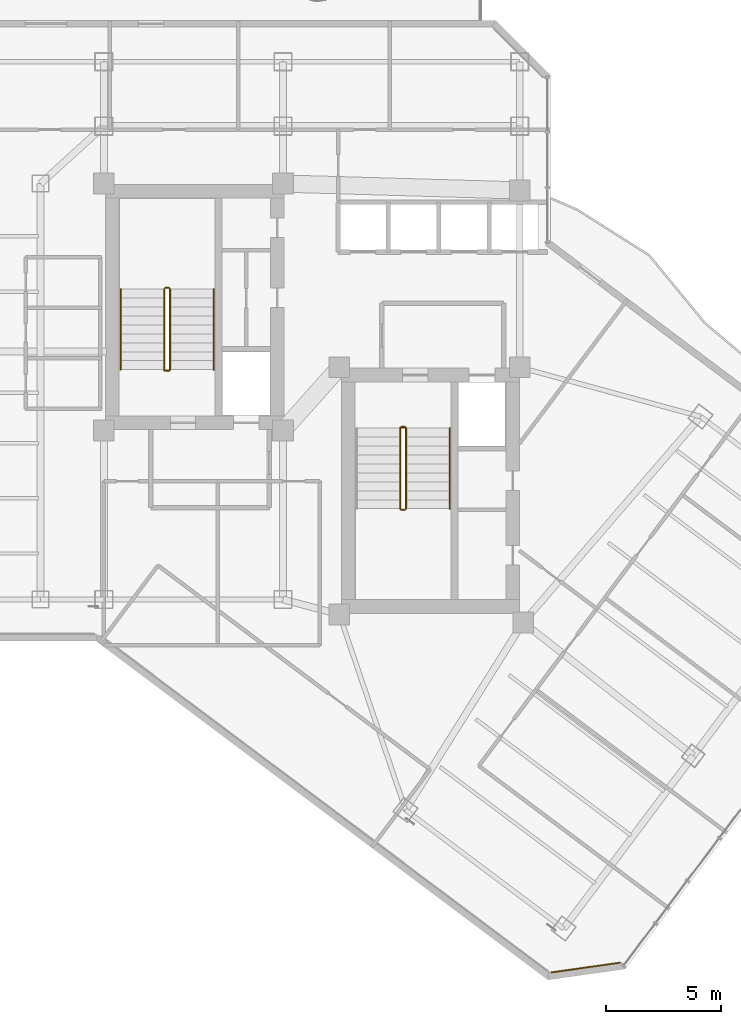
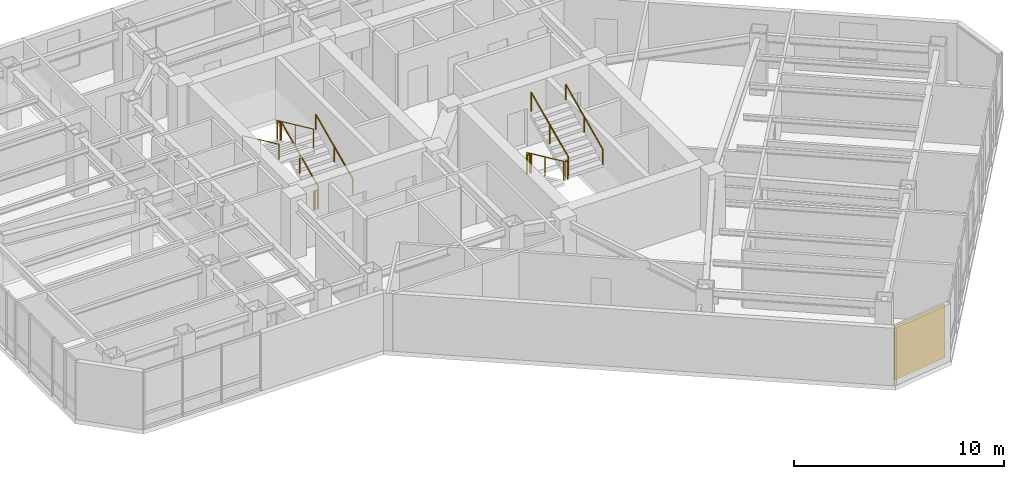
# One storey, part 26 of 27: 13 railings, 1 covering.
"""IFC4 building model written with IfcOpenShell, lengths in metres."""

from ifc_helpers import new_model, si_unit, direction, frame, origin, origin_2d, place, context, subcontext, project, spatial, rectangle, circle, extrude, material, layer, layer_set, type_object, element, save


model = new_model("IFC4")

# Units and contexts
model_context = context("Model", 3, precision=1e-05, world=origin(), true_north=direction((0.0, 1.0)))
body_context = subcontext(model_context, "Body", "Model", "MODEL_VIEW")
ifc_project = project(units=[si_unit("LENGTHUNIT", "METRE"), si_unit("AREAUNIT", "SQUARE_METRE"), si_unit("VOLUMEUNIT", "CUBIC_METRE"), si_unit("PLANEANGLEUNIT", "RADIAN"), si_unit("MASSUNIT", "GRAM", prefix="KILO")], contexts=[model_context])

# Site, building, storey
site_placement = place(None, origin())
site = spatial("IfcSite", under=ifc_project, at=site_placement, CompositionType="ELEMENT")
building_placement = place(site_placement, origin())
building = spatial("IfcBuilding", under=site, at=building_placement, Name="Hatsunagi Terrace Concourse", CompositionType="ELEMENT")
storey_placement = place(building_placement, frame((0.0, 0.0, 163.64990234375)))
storey = spatial("IfcBuildingStorey", under=building, at=storey_placement, Name="L43", CompositionType="ELEMENT", Elevation=163.64990234375)

# Railings
ifc_material_1 = material(Name="Stainless steel", Category="steel")
ifc_layer_1 = layer(ifc_material_1, 0.044921875)
ifc_layer_set_1 = layer_set([ifc_layer_1], Name="StairPitchHandrail_Tower2000")
railing_type_1 = type_object("IfcRailingType", Name="StairPitchHandrail_Tower2000", PredefinedType="HANDRAIL", material=ifc_layer_set_1)
railing_1_placement = place(storey_placement, frame((30.330078125, 35.199951171875, 0.18017578125)))
element("IfcRailing", 1, at=railing_1_placement, inside=storey, type_object=railing_type_1, Name="L43 ST-A stair handrail 1", PredefinedType="HANDRAIL", context=body_context, shape_type="SweptSolid", body=[
    extrude(circle(Radius=0.02392578125, at=origin_2d()), frame((0.0, 0.0, 0.8759765625), z_axis=(0.0, 0.907972323039, 0.419030142823), x_axis=(-1.0, 0.0, 0.0)), (0.0, 0.0, 1.0), 3.86572265625),
    extrude(circle(Radius=0.02099609375, at=origin_2d()), origin(), (0.0, 0.0, 1.0), 0.851806640625),
    extrude(circle(Radius=0.02099609375, at=origin_2d()), frame((0.0, 1.7548828125, 0.81005859375)), (0.0, 0.0, 1.0), 0.851806640625),
    extrude(circle(Radius=0.02099609375, at=origin_2d()), frame((0.0, 3.510009765625, 1.619873046875)), (0.0, 0.0, 1.0), 0.851806640625),
])
railing_2_placement = place(storey_placement, frame((26.280029296875, 38.7099609375, 1.97998046875)))
element("IfcRailing", 2, at=railing_2_placement, inside=storey, type_object=railing_type_1, Name="L43 ST-A stair handrail 2", PredefinedType="HANDRAIL", context=body_context, shape_type="SweptSolid", body=[
    extrude(circle(Radius=0.02392578125, at=origin_2d()), frame((0.0, 0.0, 0.8759765625), z_axis=(0.0, -0.907948293929, 0.419082206198), x_axis=(1.0, 0.0, 0.0)), (0.0, 0.0, 1.0), 3.865966796875),
    extrude(circle(Radius=0.02099609375, at=origin_2d()), origin(), (0.0, 0.0, 1.0), 0.851806640625),
    extrude(circle(Radius=0.02099609375, at=origin_2d()), frame((0.0, -1.7548828125, 0.81005859375)), (0.0, 0.0, 1.0), 0.851806640625),
    extrude(circle(Radius=0.02099609375, at=origin_2d()), frame((0.0, -3.510009765625, 1.6201171875)), (0.0, 0.0, 1.0), 0.851806640625),
])
railing_3_placement = place(storey_placement, frame((40.60009765625, 29.14990234375, 1.97998046875)))
element("IfcRailing", 3, at=railing_3_placement, inside=storey, type_object=railing_type_1, Name="L43 ST-B stair handrail 2", PredefinedType="HANDRAIL", context=body_context, shape_type="SweptSolid", body=[
    extrude(circle(Radius=0.02392578125, at=origin_2d()), frame((0.0, 0.0, 0.8759765625), z_axis=(0.0, 0.907948293929, 0.419082206198), x_axis=(-1.0, 0.0, 0.0)), (0.0, 0.0, 1.0), 3.865966796875),
    extrude(circle(Radius=0.02099609375, at=origin_2d()), origin(), (0.0, 0.0, 1.0), 0.851806640625),
    extrude(circle(Radius=0.02099609375, at=origin_2d()), frame((0.0, 1.7548828125, 0.81005859375)), (0.0, 0.0, 1.0), 0.851806640625),
    extrude(circle(Radius=0.02099609375, at=origin_2d()), frame((0.0, 3.510009765625, 1.6201171875)), (0.0, 0.0, 1.0), 0.851806640625),
])
ifc_material_2 = material(Name="Stainless steel", Category="steel")
ifc_layer_2 = layer(ifc_material_2, 0.06005859375)
ifc_layer_set_2 = layer_set([ifc_layer_2], Name="StairWellGuard_Tower2000")
railing_type_2 = type_object("IfcRailingType", Name="StairWellGuard_Tower2000", PredefinedType="BALUSTRADE", material=ifc_layer_set_2)
railing_4_placement = place(storey_placement, frame((28.429931640625, 35.199951171875, 0.18017578125)))
element("IfcRailing", 4, at=railing_4_placement, inside=storey, type_object=railing_type_2, Name="L43 ST-A stair guard 1", PredefinedType="BALUSTRADE", context=body_context, shape_type="SweptSolid", body=[
    extrude(circle(Radius=0.02392578125, at=origin_2d()), frame((0.0, 0.0, 1.09619140625), z_axis=(0.0, 0.907972323039, 0.419030142823), x_axis=(-1.0, 0.0, 0.0)), (0.0, 0.0, 1.0), 3.86572265625),
    extrude(circle(Radius=0.02099609375, at=origin_2d()), origin(), (0.0, 0.0, 1.0), 1.072021484375),
    extrude(circle(Radius=0.02099609375, at=origin_2d()), frame((0.0, 1.7548828125, 0.81005859375)), (0.0, 0.0, 1.0), 1.072021484375),
    extrude(circle(Radius=0.02099609375, at=origin_2d()), frame((0.0, 3.510009765625, 1.619873046875)), (0.0, 0.0, 1.0), 1.072021484375),
])
railing_5_placement = place(storey_placement, frame((28.3798828125, 38.760009765625, 1.800048828125)))
element("IfcRailing", 5, at=railing_5_placement, inside=storey, type_object=railing_type_2, Name="L43 ST-A stair guard 2", PredefinedType="BALUSTRADE", context=body_context, shape_type="SweptSolid", body=[
    extrude(circle(Radius=0.02392578125, at=origin_2d()), frame((0.0, 0.0, 1.09619140625), z_axis=(-1.0, 0.0, 0.0), x_axis=(0.0, -1.0, 0.0)), (0.0, 0.0, 1.0), 0.14990234375),
    extrude(circle(Radius=0.02099609375, at=origin_2d()), origin(), (0.0, 0.0, 1.0), 1.072021484375),
    extrude(circle(Radius=0.02099609375, at=origin_2d()), frame((-0.14990234375, 0.0, 0.0)), (0.0, 0.0, 1.0), 1.072021484375),
])
railing_6_placement = place(storey_placement, frame((28.179931640625, 38.7099609375, 1.97998046875)))
element("IfcRailing", 6, at=railing_6_placement, inside=storey, type_object=railing_type_2, Name="L43 ST-A stair guard 3", PredefinedType="BALUSTRADE", context=body_context, shape_type="SweptSolid", body=[
    extrude(circle(Radius=0.02392578125, at=origin_2d()), frame((0.0, 0.0, 1.09619140625), z_axis=(0.0, -0.907948293929, 0.419082206198), x_axis=(1.0, 0.0, 0.0)), (0.0, 0.0, 1.0), 3.865966796875),
    extrude(circle(Radius=0.02099609375, at=origin_2d()), origin(), (0.0, 0.0, 1.0), 1.072021484375),
    extrude(circle(Radius=0.02099609375, at=origin_2d()), frame((0.0, -1.7548828125, 0.81005859375)), (0.0, 0.0, 1.0), 1.072021484375),
    extrude(circle(Radius=0.02099609375, at=origin_2d()), frame((0.0, -3.510009765625, 1.6201171875)), (0.0, 0.0, 1.0), 1.072021484375),
])
railing_7_placement = place(storey_placement, frame((28.3798828125, 35.14990234375, 0.0)))
element("IfcRailing", 7, at=railing_7_placement, inside=storey, type_object=railing_type_2, Name="L43 ST-A stair guard 4", PredefinedType="BALUSTRADE", context=body_context, shape_type="SweptSolid", body=[
    extrude(circle(Radius=0.02392578125, at=origin_2d()), frame((0.0, 0.0, 1.09619140625), z_axis=(-1.0, 0.0, 0.0), x_axis=(0.0, -1.0, 0.0)), (0.0, 0.0, 1.0), 0.14990234375),
    extrude(circle(Radius=0.02099609375, at=origin_2d()), origin(), (0.0, 0.0, 1.0), 1.072021484375),
    extrude(circle(Radius=0.02099609375, at=origin_2d()), frame((-0.14990234375, 0.0, 0.0)), (0.0, 0.0, 1.0), 1.072021484375),
])
railing_8_placement = place(storey_placement, frame((38.449951171875, 32.659912109375, 0.18017578125)))
element("IfcRailing", 8, at=railing_8_placement, inside=storey, type_object=railing_type_2, Name="L43 ST-B stair guard 1", PredefinedType="BALUSTRADE", context=body_context, shape_type="SweptSolid", body=[
    extrude(circle(Radius=0.02392578125, at=origin_2d()), frame((0.0, 0.0, 1.09619140625), z_axis=(0.0, -0.907972323039, 0.419030142823), x_axis=(1.0, 0.0, 0.0)), (0.0, 0.0, 1.0), 3.86572265625),
    extrude(circle(Radius=0.02099609375, at=origin_2d()), origin(), (0.0, 0.0, 1.0), 1.072021484375),
    extrude(circle(Radius=0.02099609375, at=origin_2d()), frame((0.0, -1.7548828125, 0.81005859375)), (0.0, 0.0, 1.0), 1.072021484375),
    extrude(circle(Radius=0.02099609375, at=origin_2d()), frame((0.0, -3.510009765625, 1.619873046875)), (0.0, 0.0, 1.0), 1.072021484375),
])
railing_9_placement = place(storey_placement, frame((38.5, 29.10009765625, 1.800048828125)))
element("IfcRailing", 9, at=railing_9_placement, inside=storey, type_object=railing_type_2, Name="L43 ST-B stair guard 2", PredefinedType="BALUSTRADE", context=body_context, shape_type="SweptSolid", body=[
    extrude(circle(Radius=0.02392578125, at=origin_2d()), frame((0.0, 0.0, 1.09619140625), z_axis=(1.0, 0.0, 0.0), x_axis=(0.0, 1.0, 0.0)), (0.0, 0.0, 1.0), 0.14990234375),
    extrude(circle(Radius=0.02099609375, at=origin_2d()), origin(), (0.0, 0.0, 1.0), 1.072021484375),
    extrude(circle(Radius=0.02099609375, at=origin_2d()), frame((0.14990234375, 0.0, 0.0)), (0.0, 0.0, 1.0), 1.072021484375),
])
railing_10_placement = place(storey_placement, frame((38.699951171875, 29.14990234375, 1.97998046875)))
element("IfcRailing", 10, at=railing_10_placement, inside=storey, type_object=railing_type_2, Name="L43 ST-B stair guard 3", PredefinedType="BALUSTRADE", context=body_context, shape_type="SweptSolid", body=[
    extrude(circle(Radius=0.02392578125, at=origin_2d()), frame((0.0, 0.0, 1.09619140625), z_axis=(0.0, 0.907948293929, 0.419082206198), x_axis=(-1.0, 0.0, 0.0)), (0.0, 0.0, 1.0), 3.865966796875),
    extrude(circle(Radius=0.02099609375, at=origin_2d()), origin(), (0.0, 0.0, 1.0), 1.072021484375),
    extrude(circle(Radius=0.02099609375, at=origin_2d()), frame((0.0, 1.7548828125, 0.81005859375)), (0.0, 0.0, 1.0), 1.072021484375),
    extrude(circle(Radius=0.02099609375, at=origin_2d()), frame((0.0, 3.510009765625, 1.6201171875)), (0.0, 0.0, 1.0), 1.072021484375),
])
railing_11_placement = place(storey_placement, frame((38.5, 32.7099609375, 0.0)))
element("IfcRailing", 11, at=railing_11_placement, inside=storey, type_object=railing_type_2, Name="L43 ST-B stair guard 4", PredefinedType="BALUSTRADE", context=body_context, shape_type="SweptSolid", body=[
    extrude(circle(Radius=0.02392578125, at=origin_2d()), frame((0.0, 0.0, 1.09619140625), z_axis=(1.0, 0.0, 0.0), x_axis=(0.0, 1.0, 0.0)), (0.0, 0.0, 1.0), 0.14990234375),
    extrude(circle(Radius=0.02099609375, at=origin_2d()), origin(), (0.0, 0.0, 1.0), 1.072021484375),
    extrude(circle(Radius=0.02099609375, at=origin_2d()), frame((0.14990234375, 0.0, 0.0)), (0.0, 0.0, 1.0), 1.072021484375),
])
ifc_material_3 = material(Name="Stainless Steel SUS316 Post-and-Rail Guard", Category="steel")
ifc_layer_3 = layer(ifc_material_3, 0.080078125)
ifc_layer_set_3 = layer_set([ifc_layer_3], Name="TerracePlantedGuardRail_1200")
railing_type_3 = type_object("IfcRailingType", Name="TerracePlantedGuardRail_1200", PredefinedType="GUARDRAIL", material=ifc_layer_set_3)
for number, where, name in (
    (12, (28.179931640625, 35.179931640625, 0.0), "Stair ST-A Well Closure Guard L43"),
    (13, (38.449951171875, 32.679931640625, 0.0), "Stair ST-B Well Closure Guard L43"),
):
    element("IfcRailing", number, at=place(storey_placement, frame(where)), inside=storey, type_object=railing_type_3, Name=name, PredefinedType="GUARDRAIL", context=body_context, shape_type="SweptSolid", body=[
        extrude(circle(Radius=0.02392578125, at=origin_2d()), frame((0.0, 0.0, 1.09619140625), z_axis=(1.0, 0.0, 0.0), x_axis=(0.0, 1.0, 0.0)), (0.0, 0.0, 1.0), 0.25),
        extrude(circle(Radius=0.02099609375, at=origin_2d()), origin(), (0.0, 0.0, 1.0), 1.072021484375),
        extrude(circle(Radius=0.02099609375, at=origin_2d()), frame((0.25, 0.0, 0.0)), (0.0, 0.0, 1.0), 1.072021484375),
    ])

# Covering
ifc_material_4 = material(Name="Unglazed Warm Terracotta Rainscreen Tile", Category="masonry")
ifc_layer_4 = layer(ifc_material_4, 0.044921875)
ifc_layer_set_4 = layer_set([ifc_layer_4], Name="TerracottaRainscreenCladding_45")
covering_type = type_object("IfcCoveringType", Name="TerracottaRainscreenCladding_45", PredefinedType="CLADDING", material=ifc_layer_set_4)
covering_placement = place(storey_placement, frame((46.51806640625, 9.178955078125, 0.10009765625), z_axis=(0.0, 0.0, 1.0), x_axis=(-0.989973920543, -0.141250262458, 0.0)))
element("IfcCovering", 14, at=covering_placement, inside=storey, type_object=covering_type, Name="Terracotta Rainscreen Cladding L43-04", PredefinedType="CLADDING", context=body_context, shape_type="SweptSolid", body=[
    extrude(rectangle(XDim=3.0380859375, YDim=0.044921875, at=origin_2d()), origin(), (0.0, 0.0, 1.0), 3.14990234375),
])

save(model, "model.ifc")
